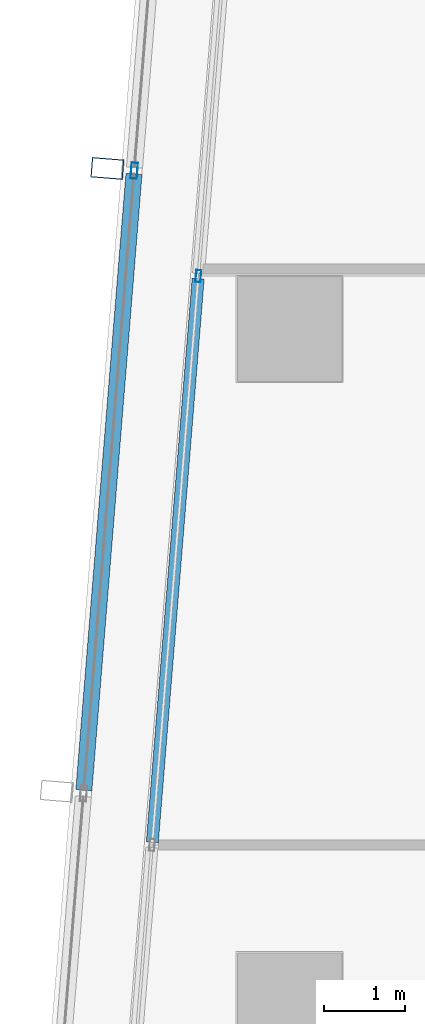
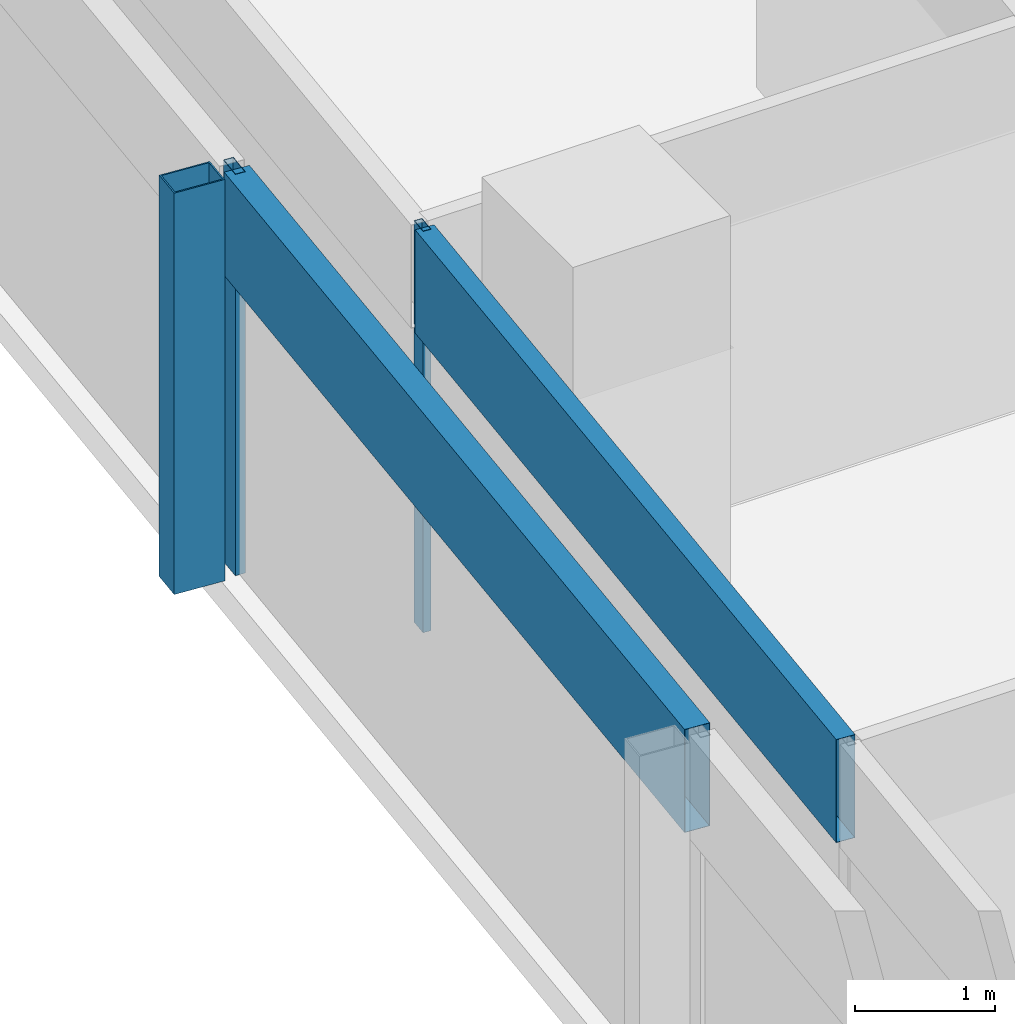
# One storey, part 8 of 30: 5 members, 2 elements without a shape of their own.
"""IFC4 building model written with IfcOpenShell, lengths in metres."""

import ifcopenshell
import ifcopenshell.guid

model = None  # the IFC model being written
_history = None  # IfcOwnerHistory: only IFC2X3 demands one
_inside = {}  # id of a spatial element -> (the spatial element, [elements in it])
_under = {}  # id of a project, library or spatial element -> (it, [spatial elements below it])
_declared = {}  # id of a project -> (the project, [libraries it declares])
_typed = {}  # id of a type object -> (the type object, [elements of that type])
_made_of = {}  # id of a material, layer set ... -> (it, [elements and type objects made of it])


def new_model(schema):
    """Start an empty IFC model of exactly this schema.

    Asked for "IFC4X3", IfcOpenShell would pick the latest addendum, in which some entities
    have other attributes; the version numbers below select the first issue.
    IFC2X3 requires an IfcOwnerHistory on every rooted entity: one is made here for all.
    """
    global model, _history
    if schema == "IFC4X3":
        model = ifcopenshell.file(schema_version=(4, 3, 0, 0))
    else:
        model = ifcopenshell.file(schema=schema)
    _inside.clear()
    _under.clear()
    _declared.clear()
    _typed.clear()
    _made_of.clear()
    _history = None
    if model.schema == "IFC2X3":
        org = make("IfcOrganization", Name="unknown")
        user = make(
            "IfcPersonAndOrganization",
            ThePerson=make("IfcPerson", FamilyName="unknown"),
            TheOrganization=org,
        )
        app = make(
            "IfcApplication",
            ApplicationDeveloper=org,
            Version="unknown",
            ApplicationFullName="unknown",
            ApplicationIdentifier="unknown",
        )
        _history = make(
            "IfcOwnerHistory",
            OwningUser=user,
            OwningApplication=app,
            ChangeAction="ADDED",
            CreationDate=0,
        )
    return model


def make(cls, **values):
    """One entity of the class cls with the attributes given. An attribute that is None is left unset."""
    return model.create_entity(
        cls, **{name: value for name, value in values.items() if value is not None}
    )


def rooted(cls, **values):
    """An entity with a GlobalId (a new one), such as an element, a storey or a relation."""
    return make(cls, GlobalId=ifcopenshell.guid.new(), OwnerHistory=_history, **values)


def si_unit(unit_type, name, prefix=None):
    """IfcSIUnit, for example si_unit("LENGTHUNIT", "METRE", prefix="MILLI")."""
    return make("IfcSIUnit", UnitType=unit_type, Prefix=prefix, Name=name)


def assignment(units):
    """IfcUnitAssignment: the units of a project."""
    return None if units is None else make("IfcUnitAssignment", Units=units)


def point(xyz):
    """IfcCartesianPoint."""
    return None if xyz is None else make("IfcCartesianPoint", Coordinates=xyz)


def direction(xyz):
    """IfcDirection."""
    return None if xyz is None else make("IfcDirection", DirectionRatios=xyz)


def frame(location, z_axis=None, x_axis=None):
    """IfcAxis2Placement3D, a coordinate frame: its origin and axes. An axis left out is left unset."""
    return make(
        "IfcAxis2Placement3D",
        Location=point(location),
        Axis=direction(z_axis),
        RefDirection=direction(x_axis),
    )


def frame_2d(location, x_axis=None):
    """IfcAxis2Placement2D, a coordinate frame in the plane: its origin and x axis."""
    return make(
        "IfcAxis2Placement2D", Location=point(location), RefDirection=direction(x_axis)
    )


def origin():
    """The frame at (0, 0, 0) with its axes left unset."""
    return frame((0.0, 0.0, 0.0))


def origin_2d():
    """The frame at (0, 0) in the plane with its x axis left unset."""
    return frame_2d((0.0, 0.0))


def place(relative_to, where):
    """IfcLocalPlacement: puts the frame where relative to a parent placement (None: the world)."""
    return make(
        "IfcLocalPlacement", PlacementRelTo=relative_to, RelativePlacement=where
    )


def context(
    kind, dimensions, precision=None, world=None, true_north=None, identifier=None
):
    """IfcGeometricRepresentationContext, for example the 3D "Model" context."""
    return make(
        "IfcGeometricRepresentationContext",
        ContextIdentifier=identifier,
        ContextType=kind,
        CoordinateSpaceDimension=dimensions,
        Precision=precision,
        WorldCoordinateSystem=world,
        TrueNorth=true_north,
    )


def subcontext(parent, identifier, kind, view, scale=None):
    """IfcGeometricRepresentationSubContext, for example "Body" below "Model"."""
    return make(
        "IfcGeometricRepresentationSubContext",
        ContextIdentifier=identifier,
        ContextType=kind,
        ParentContext=parent,
        TargetScale=scale,
        TargetView=view,
    )


def project(units=None, contexts=None):
    """IfcProject with its units and contexts."""
    return rooted(
        "IfcProject",
        Name="project",
        RepresentationContexts=contexts,
        UnitsInContext=assignment(units),
    )


def spatial(cls, under=None, at=None, **own):
    """A site, building, storey or space (cls), placed at a placement, below another one or the project."""
    s = rooted(cls, ObjectPlacement=at, **own)
    if under is not None:
        _under.setdefault(under.id(), (under, []))[1].append(s)
    return s


def profile(cls, at=None, kind="AREA", **sizes):
    """A parametric profile (cls). Its sizes go by their IFC names, for example OverallWidth=200.0."""
    return make(cls, ProfileType=kind, Position=at, **sizes)


def hollow_rectangle(**sizes):
    """IfcRectangleHollowProfileDef."""
    return profile("IfcRectangleHollowProfileDef", **sizes)


def extrude(swept, where, along, depth):
    """IfcExtrudedAreaSolid: the profile swept, set in the frame where, extruded along a direction by depth."""
    return make(
        "IfcExtrudedAreaSolid",
        SweptArea=swept,
        Position=where,
        ExtrudedDirection=direction(along),
        Depth=depth,
    )


def shape(context_of_items, identifier, shape_type, items):
    """IfcShapeRepresentation: the items that make up one representation, for example the "Body"."""
    return make(
        "IfcShapeRepresentation",
        ContextOfItems=context_of_items,
        RepresentationIdentifier=identifier,
        RepresentationType=shape_type,
        Items=items,
    )


def material(Name=None, Category=None):
    """IfcMaterial."""
    return make("IfcMaterial", Name=Name, Category=Category)


def material_profile(
    of_material, cross_section, Name=None, Category=None, Priority=None
):
    """IfcMaterialProfile: a cross section and its material."""
    return make(
        "IfcMaterialProfile",
        Name=Name,
        Material=of_material,
        Profile=cross_section,
        Priority=Priority,
        Category=Category,
    )


def profile_set(profiles, Name=None, composite=None):
    """IfcMaterialProfileSet."""
    return make(
        "IfcMaterialProfileSet",
        Name=Name,
        MaterialProfiles=profiles,
        CompositeProfile=composite,
    )


def made_of(thing, what):
    """Note that an element or type object is made of a material, layer set ...; save() writes the relation."""
    if what is not None:
        _made_of.setdefault(what.id(), (what, []))[1].append(thing)
    return thing


def type_object(cls, material=None, **own):
    """A type object (cls), such as IfcWallType, which elements share."""
    return made_of(rooted(cls, **own), material)


def element(
    cls,
    number,
    at=None,
    inside=None,
    cuts=None,
    type_object=None,
    material=None,
    context=None,
    identifier="Body",
    shape_type=None,
    held_by="IfcProductDefinitionShape",
    body=None,
    shapes=None,
    **own,
):
    """One element of the class cls, such as IfcWall. Its Tag is "e" and its number.

    at: its placement. inside: the storey or other place that contains it. cuts: it is an
    opening in that element (IfcRelVoidsElement). A single representation is given by context,
    identifier, shape_type and body (its items); several are given by shapes. held_by: the class
    of the entity that holds the representations. save() writes the other relations.
    """
    e = rooted(cls, Tag="e%d" % number, ObjectPlacement=at, **own)
    if body is not None:
        shapes = [shape(context, identifier, shape_type, body)]
    if shapes is not None:
        e.Representation = make(held_by, Representations=shapes)
    if inside is not None:
        _inside.setdefault(inside.id(), (inside, []))[1].append(e)
    if cuts is not None:
        rooted(
            "IfcRelVoidsElement", RelatingBuildingElement=cuts, RelatedOpeningElement=e
        )
    if type_object is not None:
        _typed.setdefault(type_object.id(), (type_object, []))[1].append(e)
    return made_of(e, material)


def aggregate(whole, parts):
    """IfcRelAggregates: a whole, such as a stair, and the parts it consists of."""
    return rooted("IfcRelAggregates", RelatingObject=whole, RelatedObjects=parts)


def save(model, path):
    """Write the relations noted so far, then the file.

    IfcRelAggregates (storeys below a building ...), IfcRelContainedInSpatialStructure (elements
    in a storey), IfcRelDefinesByType, IfcRelAssociatesMaterial and IfcRelDeclares: one each for
    every whole, place, type object, material and project.
    """
    for whole, parts in _under.values():
        aggregate(whole, parts)
    for where, things in _inside.values():
        rooted(
            "IfcRelContainedInSpatialStructure",
            RelatedElements=things,
            RelatingStructure=where,
        )
    for kind, things in _typed.values():
        rooted("IfcRelDefinesByType", RelatedObjects=things, RelatingType=kind)
    for what, things in _made_of.values():
        rooted("IfcRelAssociatesMaterial", RelatedObjects=things, RelatingMaterial=what)
    for by, libraries in _declared.values():
        rooted("IfcRelDeclares", RelatingContext=by, RelatedDefinitions=libraries)
    model.write(path)


model = new_model("IFC4")

# Units and contexts
model_context = context("Model", 3, precision=1e-05, world=origin(), true_north=direction((0.0, 1.0)))
body_context = subcontext(model_context, "Body", "Model", "MODEL_VIEW")
ifc_project = project(units=[si_unit("LENGTHUNIT", "METRE"), si_unit("AREAUNIT", "SQUARE_METRE"), si_unit("VOLUMEUNIT", "CUBIC_METRE"), si_unit("PLANEANGLEUNIT", "RADIAN"), si_unit("MASSUNIT", "GRAM", prefix="KILO")], contexts=[model_context])

# Site, building, storey
site_placement = place(None, origin())
site = spatial("IfcSite", under=ifc_project, at=site_placement, CompositionType="ELEMENT")
building_placement = place(site_placement, origin())
building = spatial("IfcBuilding", under=site, at=building_placement, Name="Rekha Terrace Tower", CompositionType="ELEMENT")
storey_placement = place(building_placement, frame((0.0, 0.0, 265.10009765625)))
storey = spatial("IfcBuildingStorey", under=building, at=storey_placement, Name="L67", CompositionType="ELEMENT", Elevation=265.10009765625)

# Curtain wall, member
ifc_material_1 = material(Name="Aluminium framing", Category="aluminium")
curtain_wall_type_1 = type_object("IfcCurtainWallType", Name="CW2 double skin outer glazing", PredefinedType="USERDEFINED", material=ifc_material_1)
curtain_wall_1_placement = place(storey_placement, origin())
curtain_wall_1 = element("IfcCurtainWall", 1, at=curtain_wall_1_placement, inside=storey, type_object=curtain_wall_type_1, Name="CW2 double skin outer glazing", ObjectType="DOUBLE SKIN OUTER GLAZING", PredefinedType="USERDEFINED")
ifc_material_2 = material(Name="Steel S355 with fluorocarbon finish", Category="steel")
ifc_material_profile_1 = material_profile(ifc_material_2, hollow_rectangle(XDim=0.25, YDim=0.39990234375, WallThickness=0.012451171875, at=origin_2d()), Name="RHS400x250x12.5")
ifc_profile_set_1 = profile_set([ifc_material_profile_1], Name="Steel S355 with fluorocarbon finish")
member_type_1 = type_object("IfcMemberType", Name="BL1 facade blade RHS 400 x 250", PredefinedType="USERDEFINED", material=ifc_profile_set_1)
member_1_placement = place(storey_placement, frame((6.135498046875, 43.9931640625, 0.0), z_axis=(0.0, 0.0, 1.0), x_axis=(-0.081068747348, -0.996708512156, 0.0)))
member_1 = element("IfcMember", 2, at=member_1_placement, type_object=member_type_1, Name="Facade blade", ObjectType="FACADE BLADE", PredefinedType="USERDEFINED", context=body_context, shape_type="SweptSolid", body=[
    extrude(hollow_rectangle(XDim=0.25, YDim=0.39990234375, WallThickness=0.012451171875, at=origin_2d()), origin(), (0.0, 0.0, 1.0), 3.5),
])

# Curtain wall, members
curtain_wall_type_2 = type_object("IfcCurtainWallType", Name="CW1 double skin inner glazing", PredefinedType="USERDEFINED", material=ifc_material_1)
curtain_wall_2_placement = place(storey_placement, origin())
curtain_wall_2 = element("IfcCurtainWall", 3, at=curtain_wall_2_placement, inside=storey, type_object=curtain_wall_type_2, Name="CW1 double skin inner glazing", ObjectType="DOUBLE SKIN INNER GLAZING", PredefinedType="USERDEFINED")
ifc_material_3 = material(Name="Aluminium mullion section", Category="aluminium")
ifc_material_profile_2 = material_profile(ifc_material_3, hollow_rectangle(XDim=0.06494140625, YDim=0.14990234375, WallThickness=0.00390625, at=origin_2d()), Name="AL RHS 65x150")
ifc_profile_set_2 = profile_set([ifc_material_profile_2], Name="Aluminium mullion section")
member_type_2 = type_object("IfcMemberType", Name="CW1 mullion RHS 65 x 150", PredefinedType="MULLION", material=ifc_profile_set_2)
member_2_placement = place(storey_placement, frame((7.265625, 42.65625, 0.0), z_axis=(0.0, 0.0, 1.0), x_axis=(0.996708580524, -0.081067906781, 0.0)))
member_2 = element("IfcMember", 4, at=member_2_placement, type_object=member_type_2, Name="CW1 mullion 2", PredefinedType="MULLION", context=body_context, shape_type="SweptSolid", body=[
    extrude(hollow_rectangle(XDim=0.06494140625, YDim=0.14990234375, WallThickness=0.00390625, at=origin_2d()), origin(), (0.0, 0.0, 1.0), 3.5),
])
ifc_material_4 = material(Name="Insulated aluminium spandrel box", Category="aluminium")
ifc_material_profile_3 = material_profile(ifc_material_4, hollow_rectangle(XDim=0.14990234375, YDim=0.89990234375, WallThickness=0.0029296875, at=origin_2d()), Name="AL SPANDREL BOX 150x900")
ifc_profile_set_3 = profile_set([ifc_material_profile_3], Name="Insulated aluminium spandrel box")
member_type_3 = type_object("IfcMemberType", Name="CW1 spandrel transom 150 x 900", PredefinedType="USERDEFINED", material=ifc_profile_set_3)
member_3_placement = place(storey_placement, frame((7.26318359375, 42.623779296875, 3.0498046875), z_axis=(-0.081080883426, -0.996707524976, 0.0), x_axis=(0.996707524976, -0.081080883426, 0.0)))
member_3 = element("IfcMember", 5, at=member_3_placement, type_object=member_type_3, Name="CW1 spandrel transom 2", ObjectType="TRANSOM", PredefinedType="USERDEFINED", context=body_context, shape_type="SweptSolid", body=[
    extrude(hollow_rectangle(XDim=0.14990234375, YDim=0.89990234375, WallThickness=0.0029296875, at=origin_2d()), origin(), (0.0, 0.0, 1.0), 7.02490234375),
])
aggregate(curtain_wall_2, [member_2, member_3])

# Member
ifc_material_profile_4 = material_profile(ifc_material_3, hollow_rectangle(XDim=0.080078125, YDim=0.199951171875, WallThickness=0.00390625, at=origin_2d()), Name="AL RHS 80x200")
ifc_profile_set_4 = profile_set([ifc_material_profile_4], Name="Aluminium mullion section")
member_type_4 = type_object("IfcMemberType", Name="CW2 mullion RHS 80 x 200", PredefinedType="MULLION", material=ifc_profile_set_4)
member_4_placement = place(storey_placement, frame((6.46923828125, 43.9658203125, 0.0), z_axis=(0.0, 0.0, 1.0), x_axis=(0.996708580521, -0.081067906816, 0.0)))
member_4 = element("IfcMember", 6, at=member_4_placement, type_object=member_type_4, Name="CW2 mullion 2", PredefinedType="MULLION", context=body_context, shape_type="SweptSolid", body=[
    extrude(hollow_rectangle(XDim=0.080078125, YDim=0.199951171875, WallThickness=0.00390625, at=origin_2d()), origin(), (0.0, 0.0, 1.0), 3.5),
])

ifc_material_profile_5 = material_profile(ifc_material_4, hollow_rectangle(XDim=0.199951171875, YDim=0.89990234375, WallThickness=0.0029296875, at=origin_2d()), Name="AL SPANDREL BOX 200x900")
ifc_profile_set_5 = profile_set([ifc_material_profile_5], Name="Insulated aluminium spandrel box")
member_type_5 = type_object("IfcMemberType", Name="CW2 spandrel transom 200 x 900", PredefinedType="USERDEFINED", material=ifc_profile_set_5)
member_5_placement = place(storey_placement, frame((6.466064453125, 43.926025390625, 3.0498046875), z_axis=(-0.081082991857, -0.996707353455, 0.0), x_axis=(0.996707353455, -0.081082991857, 0.0)))
member_5 = element("IfcMember", 7, at=member_5_placement, type_object=member_type_5, Name="CW2 spandrel transom 2", ObjectType="TRANSOM", PredefinedType="USERDEFINED", context=body_context, shape_type="SweptSolid", body=[
    extrude(hollow_rectangle(XDim=0.199951171875, YDim=0.89990234375, WallThickness=0.0029296875, at=origin_2d()), origin(), (0.0, 0.0, 1.0), 7.68115234375),
])

aggregate(curtain_wall_1, [member_4, member_5, member_1])

save(model, "model.ifc")
